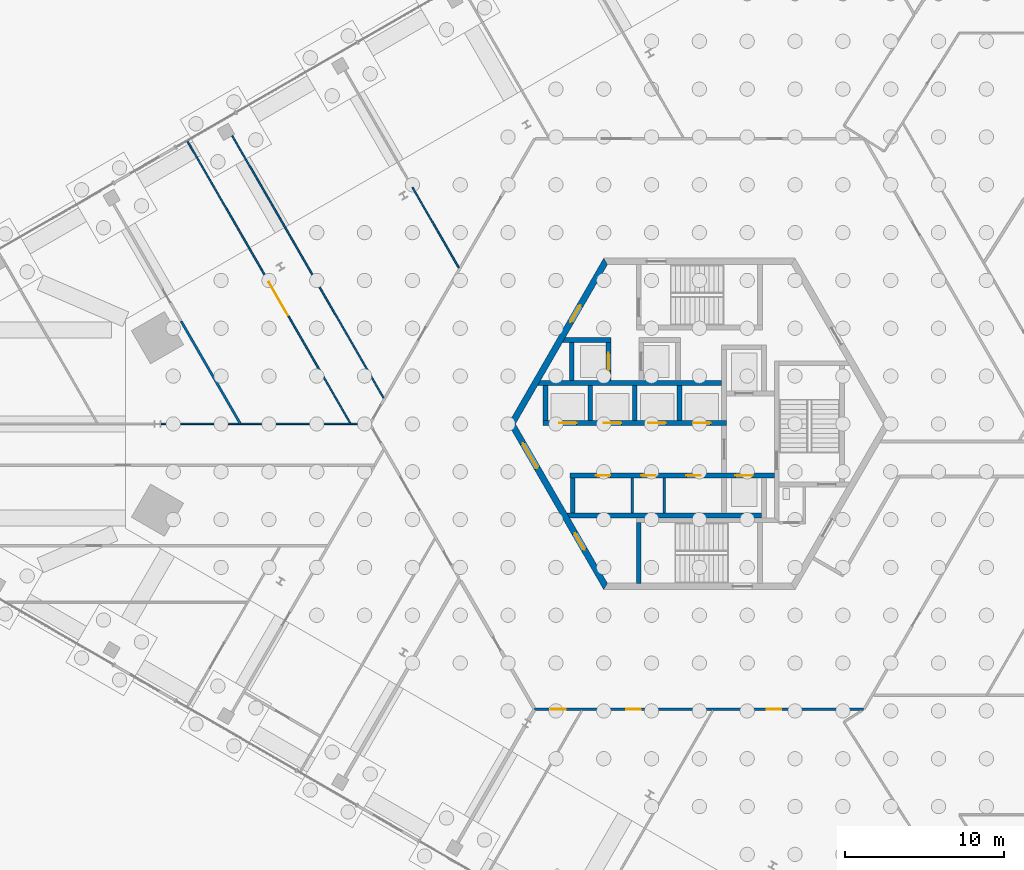
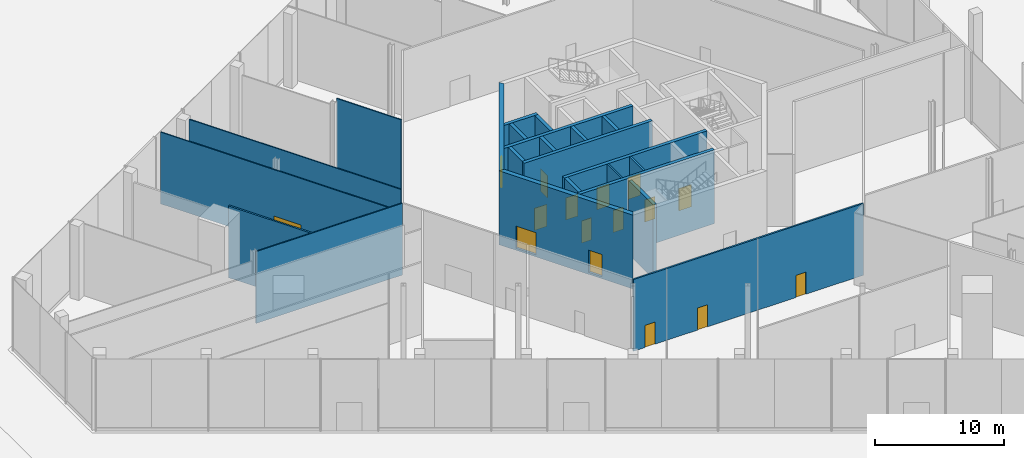
# One storey, part 17 of 27: 23 walls, 16 doors, 16 openings.
"""IFC4 building model written with IfcOpenShell, lengths in metres."""

from ifc_helpers import new_model, si_unit, direction, frame, frame_2d, origin, place, context, subcontext, project, spatial, polyline, rectangle, outline, extrude, source, transform, mapped, material, layer, layer_set, type_object, element, fill, save


model = new_model("IFC4")

# Units and contexts
model_context = context("Model", 3, precision=1e-05, world=origin(), true_north=direction((0.0, 1.0)))
body_context = subcontext(model_context, "Body", "Model", "MODEL_VIEW")
ifc_project = project(units=[si_unit("LENGTHUNIT", "METRE"), si_unit("AREAUNIT", "SQUARE_METRE"), si_unit("VOLUMEUNIT", "CUBIC_METRE"), si_unit("PLANEANGLEUNIT", "RADIAN"), si_unit("MASSUNIT", "GRAM", prefix="KILO")], contexts=[model_context])

# Site, building, storey
site_placement = place(None, origin())
site = spatial("IfcSite", under=ifc_project, at=site_placement, CompositionType="ELEMENT")
building_placement = place(site_placement, origin())
building = spatial("IfcBuilding", under=site, at=building_placement, Name="Triune Harvest Tower", CompositionType="ELEMENT")
storey_placement = place(building_placement, origin())
storey = spatial("IfcBuildingStorey", under=building, at=storey_placement, Name="L00", CompositionType="ELEMENT", Elevation=0.0)

# Wall, openings, doors
ifc_material_1 = material(Name="Concrete 70 MPa", Category="concrete")
ifc_layer_1 = layer(ifc_material_1, 0.300048828125)
ifc_layer_set_1 = layer_set([ifc_layer_1], Name="Concrete 70 MPa")
wall_type_1 = type_object("IfcWallType", Name="Core wall 300", PredefinedType="SHEAR", material=ifc_layer_set_1)
wall_1_placement = place(storey_placement, frame((-9.800048828125, 0.06005859375, -0.199951171875), z_axis=(0.0, 0.0, 1.0), x_axis=(1.0, 0.0, 0.0)))
wall_1 = element("IfcWall", 1, at=wall_1_placement, inside=storey, type_object=wall_type_1, Name="North front wall", PredefinedType="SHEAR", context=body_context, shape_type="SweptSolid", body=[
    extrude(rectangle(XDim=11.5, YDim=0.300048828125, at=frame_2d((5.75, 0.0))), origin(), (0.0, 0.0, 1.0), 7.0),
])
opening_1_placement = place(wall_1_placement, frame((1.0, 0.0, 0.199951171875)))
opening_1 = element("IfcOpeningElement", 2, at=opening_1_placement, cuts=wall_1, Name="Opening LD-LR1-00", PredefinedType="OPENING", context=body_context, shape_type="SweptSolid", body=[
    extrude(rectangle(XDim=1.10009765625, YDim=2.10009765625, at=frame_2d((0.550048828125, 1.050048828125))), frame((0.0, 0.16015625, 0.0), z_axis=(0.0, -1.0, 0.0), x_axis=(1.0, 0.0, 0.0)), (0.0, 0.0, 1.0), 0.320068359375),
])
opening_2_placement = place(wall_1_placement, frame((3.800048828125, 0.0, 0.199951171875)))
opening_2 = element("IfcOpeningElement", 3, at=opening_2_placement, cuts=wall_1, Name="Opening LD-LR2-00", PredefinedType="OPENING", context=body_context, shape_type="SweptSolid", body=[
    extrude(rectangle(XDim=1.10009765625, YDim=2.10009765625, at=frame_2d((0.550048828125, 1.050048828125))), frame((0.0, 0.16015625, 0.0), z_axis=(0.0, -1.0, 0.0), x_axis=(1.0, 0.0, 0.0)), (0.0, 0.0, 1.0), 0.320068359375),
])
opening_3_placement = place(wall_1_placement, frame((6.60009765625, 0.0, 0.199951171875)))
opening_3 = element("IfcOpeningElement", 4, at=opening_3_placement, cuts=wall_1, Name="Opening LD-LR3-00", PredefinedType="OPENING", context=body_context, shape_type="SweptSolid", body=[
    extrude(rectangle(XDim=1.10009765625, YDim=2.10009765625, at=frame_2d((0.550048828125, 1.050048828125))), frame((0.0, 0.16015625, 0.0), z_axis=(0.0, -1.0, 0.0), x_axis=(1.0, 0.0, 0.0)), (0.0, 0.0, 1.0), 0.320068359375),
])
opening_4_placement = place(wall_1_placement, frame((9.39990234375, 0.0, 0.199951171875)))
opening_4 = element("IfcOpeningElement", 5, at=opening_4_placement, cuts=wall_1, Name="Opening LD-LR4-00", PredefinedType="OPENING", context=body_context, shape_type="SweptSolid", body=[
    extrude(rectangle(XDim=1.10009765625, YDim=2.10009765625, at=frame_2d((0.550048828125, 1.050048828125))), frame((0.0, 0.16015625, 0.0), z_axis=(0.0, -1.0, 0.0), x_axis=(1.0, 0.0, 0.0)), (0.0, 0.0, 1.0), 0.320068359375),
])
ifc_material_2 = material(Name="Stainless steel AISI 304", Category="steel")
door_type_1 = type_object("IfcDoorType", Name="Landing door 1100 x 2100", OperationType="DOUBLE_DOOR_SLIDING", PredefinedType="DOOR", material=ifc_material_2)
door_1_placement = place(opening_1_placement, origin())
door_1 = element("IfcDoor", 6, at=door_1_placement, inside=storey, type_object=door_type_1, Name="Door LD-LR1-00", OperationType="DOUBLE_DOOR_SLIDING", OverallHeight=2.10009765625, OverallWidth=1.10009765625, PredefinedType="DOOR", context=body_context, shape_type="SweptSolid", body=[
    extrude(rectangle(XDim=1.10009765625, YDim=2.10009765625, at=frame_2d((0.550048828125, 1.050048828125))), frame((0.0, 0.02490234375, 0.0), z_axis=(0.0, -1.0, 0.0), x_axis=(1.0, 0.0, 0.0)), (0.0, 0.0, 1.0), 0.050048828125),
])
fill(opening_1, door_1)
door_2_placement = place(opening_2_placement, origin())
door_2 = element("IfcDoor", 7, at=door_2_placement, inside=storey, type_object=door_type_1, Name="Door LD-LR2-00", OperationType="DOUBLE_DOOR_SLIDING", OverallHeight=2.10009765625, OverallWidth=1.10009765625, PredefinedType="DOOR", context=body_context, shape_type="SweptSolid", body=[
    extrude(rectangle(XDim=1.10009765625, YDim=2.10009765625, at=frame_2d((0.550048828125, 1.050048828125))), frame((0.0, 0.02490234375, 0.0), z_axis=(0.0, -1.0, 0.0), x_axis=(1.0, 0.0, 0.0)), (0.0, 0.0, 1.0), 0.050048828125),
])
fill(opening_2, door_2)
door_3_placement = place(opening_3_placement, origin())
door_3 = element("IfcDoor", 8, at=door_3_placement, inside=storey, type_object=door_type_1, Name="Door LD-LR3-00", OperationType="DOUBLE_DOOR_SLIDING", OverallHeight=2.10009765625, OverallWidth=1.10009765625, PredefinedType="DOOR", context=body_context, shape_type="SweptSolid", body=[
    extrude(rectangle(XDim=1.10009765625, YDim=2.10009765625, at=frame_2d((0.550048828125, 1.050048828125))), frame((0.0, 0.02490234375, 0.0), z_axis=(0.0, -1.0, 0.0), x_axis=(1.0, 0.0, 0.0)), (0.0, 0.0, 1.0), 0.050048828125),
])
fill(opening_3, door_3)
door_4_placement = place(opening_4_placement, origin())
door_4 = element("IfcDoor", 9, at=door_4_placement, inside=storey, type_object=door_type_1, Name="Door LD-LR4-00", OperationType="DOUBLE_DOOR_SLIDING", OverallHeight=2.10009765625, OverallWidth=1.10009765625, PredefinedType="DOOR", context=body_context, shape_type="SweptSolid", body=[
    extrude(rectangle(XDim=1.10009765625, YDim=2.10009765625, at=frame_2d((0.550048828125, 1.050048828125))), frame((0.0, 0.02490234375, 0.0), z_axis=(0.0, -1.0, 0.0), x_axis=(1.0, 0.0, 0.0)), (0.0, 0.0, 1.0), 0.050048828125),
])
fill(opening_4, door_4)

# Wall
wall_2_placement = place(storey_placement, frame((-9.800048828125, 2.56005859375, -0.199951171875), z_axis=(0.0, 0.0, 1.0), x_axis=(1.0, 0.0, 0.0)))
element("IfcWall", 10, at=wall_2_placement, inside=storey, type_object=wall_type_1, Name="North back wall", PredefinedType="SHEAR", context=body_context, shape_type="SweptSolid", body=[
    extrude(outline(polyline([(11.199951171875, -0.14990234375), (-0.34912109375, -0.14990234375), (-0.17578125, 0.14990234375), (11.199951171875, 0.14990234375), (11.199951171875, -0.14990234375)])), origin(), (0.0, 0.0, 1.0), 7.0),
])

# Wall, openings, doors
wall_3_placement = place(storey_placement, frame((-8.10009765625, -3.239990234375, -0.199951171875), z_axis=(0.0, 0.0, 1.0), x_axis=(1.0, 0.0, 0.0)))
wall_3 = element("IfcWall", 11, at=wall_3_placement, inside=storey, type_object=wall_type_1, Name="South front wall", PredefinedType="SHEAR", context=body_context, shape_type="SweptSolid", body=[
    extrude(rectangle(XDim=12.800048828125, YDim=0.300048828125, at=frame_2d((6.39990234375, 0.0))), origin(), (0.0, 0.0, 1.0), 7.0),
])
opening_5_placement = place(wall_3_placement, frame((1.612548828125, 0.0, 0.199951171875)))
opening_5 = element("IfcOpeningElement", 12, at=opening_5_placement, cuts=wall_3, Name="Opening CD-RS1", PredefinedType="OPENING", context=body_context, shape_type="SweptSolid", body=[
    extrude(rectangle(XDim=0.89990234375, YDim=2.10009765625, at=frame_2d((0.449951171875, 1.050048828125))), frame((0.0, 0.16015625, 0.0), z_axis=(0.0, -1.0, 0.0), x_axis=(1.0, 0.0, 0.0)), (0.0, 0.0, 1.0), 0.320068359375),
])
opening_6_placement = place(wall_3_placement, frame((4.449951171875, 0.0, 0.199951171875)))
opening_6 = element("IfcOpeningElement", 13, at=opening_6_placement, cuts=wall_3, Name="Opening CD-RS2", PredefinedType="OPENING", context=body_context, shape_type="SweptSolid", body=[
    extrude(rectangle(XDim=0.89990234375, YDim=2.10009765625, at=frame_2d((0.449951171875, 1.050048828125))), frame((0.0, 0.16015625, 0.0), z_axis=(0.0, -1.0, 0.0), x_axis=(1.0, 0.0, 0.0)), (0.0, 0.0, 1.0), 0.320068359375),
])
opening_7_placement = place(wall_3_placement, frame((7.28759765625, 0.0, 0.199951171875)))
opening_7 = element("IfcOpeningElement", 14, at=opening_7_placement, cuts=wall_3, Name="Opening CD-RS3", PredefinedType="OPENING", context=body_context, shape_type="SweptSolid", body=[
    extrude(rectangle(XDim=0.89990234375, YDim=2.10009765625, at=frame_2d((0.449951171875, 1.050048828125))), frame((0.0, 0.16015625, 0.0), z_axis=(0.0, -1.0, 0.0), x_axis=(1.0, 0.0, 0.0)), (0.0, 0.0, 1.0), 0.320068359375),
])
opening_8_placement = place(wall_3_placement, frame((10.35009765625, 0.0, 0.199951171875)))
opening_8 = element("IfcOpeningElement", 15, at=opening_8_placement, cuts=wall_3, Name="Opening LD-FF2-00", PredefinedType="OPENING", context=body_context, shape_type="SweptSolid", body=[
    extrude(rectangle(XDim=1.10009765625, YDim=2.10009765625, at=frame_2d((0.550048828125, 1.050048828125))), frame((0.0, 0.16015625, 0.0), z_axis=(0.0, -1.0, 0.0), x_axis=(1.0, 0.0, 0.0)), (0.0, 0.0, 1.0), 0.320068359375),
])
door_5_placement = place(opening_8_placement, origin())
door_5 = element("IfcDoor", 16, at=door_5_placement, inside=storey, type_object=door_type_1, Name="Door LD-FF2-00", OperationType="DOUBLE_DOOR_SLIDING", OverallHeight=2.10009765625, OverallWidth=1.10009765625, PredefinedType="DOOR", context=body_context, shape_type="SweptSolid", body=[
    extrude(rectangle(XDim=1.10009765625, YDim=2.10009765625, at=frame_2d((0.550048828125, 1.050048828125))), frame((0.0, 0.02490234375, 0.0), z_axis=(0.0, -1.0, 0.0), x_axis=(1.0, 0.0, 0.0)), (0.0, 0.0, 1.0), 0.050048828125),
])
fill(opening_8, door_5)
ifc_material_3 = material(Name="Steel S235", Category="steel")
door_type_2 = type_object("IfcDoorType", Name="Riser door 900 FD120", OperationType="SINGLE_SWING_LEFT", PredefinedType="DOOR", material=ifc_material_3)
door_6_placement = place(opening_5_placement, origin())
door_6 = element("IfcDoor", 17, at=door_6_placement, inside=storey, type_object=door_type_2, Name="Door CD-RS1", OperationType="SINGLE_SWING_LEFT", OverallHeight=2.10009765625, OverallWidth=0.89990234375, PredefinedType="DOOR", context=body_context, shape_type="SweptSolid", body=[
    extrude(rectangle(XDim=0.89990234375, YDim=2.10009765625, at=frame_2d((0.449951171875, 1.050048828125))), frame((0.0, 0.02490234375, 0.0), z_axis=(0.0, -1.0, 0.0), x_axis=(1.0, 0.0, 0.0)), (0.0, 0.0, 1.0), 0.050048828125),
])
fill(opening_5, door_6)
door_7_placement = place(opening_6_placement, origin())
door_7 = element("IfcDoor", 18, at=door_7_placement, inside=storey, type_object=door_type_2, Name="Door CD-RS2", OperationType="SINGLE_SWING_LEFT", OverallHeight=2.10009765625, OverallWidth=0.89990234375, PredefinedType="DOOR", context=body_context, shape_type="SweptSolid", body=[
    extrude(rectangle(XDim=0.89990234375, YDim=2.10009765625, at=frame_2d((0.449951171875, 1.050048828125))), frame((0.0, 0.02490234375, 0.0), z_axis=(0.0, -1.0, 0.0), x_axis=(1.0, 0.0, 0.0)), (0.0, 0.0, 1.0), 0.050048828125),
])
fill(opening_6, door_7)
door_8_placement = place(opening_7_placement, origin())
door_8 = element("IfcDoor", 19, at=door_8_placement, inside=storey, type_object=door_type_2, Name="Door CD-RS3", OperationType="SINGLE_SWING_LEFT", OverallHeight=2.10009765625, OverallWidth=0.89990234375, PredefinedType="DOOR", context=body_context, shape_type="SweptSolid", body=[
    extrude(rectangle(XDim=0.89990234375, YDim=2.10009765625, at=frame_2d((0.449951171875, 1.050048828125))), frame((0.0, 0.02490234375, 0.0), z_axis=(0.0, -1.0, 0.0), x_axis=(1.0, 0.0, 0.0)), (0.0, 0.0, 1.0), 0.050048828125),
])
fill(opening_7, door_8)

# Walls
wall_4_placement = place(storey_placement, frame((-8.10009765625, -5.739990234375, -0.199951171875), z_axis=(0.0, 0.0, 1.0), x_axis=(1.0, 0.0, 0.0)))
element("IfcWall", 20, at=wall_4_placement, inside=storey, type_object=wall_type_1, Name="South back wall", PredefinedType="SHEAR", context=body_context, shape_type="SweptSolid", body=[
    extrude(outline(polyline([(12.0, -0.14990234375), (-0.039794921875, -0.14990234375), (-0.212890625, 0.14990234375), (12.0, 0.14990234375), (12.0, -0.14990234375)])), origin(), (0.0, 0.0, 1.0), 7.0),
])
wall_5_placement = place(storey_placement, frame((-8.14990234375, 5.260009765625, -0.199951171875), z_axis=(0.0, 0.0, 1.0), x_axis=(1.0, 0.0, 0.0)))
element("IfcWall", 21, at=wall_5_placement, inside=storey, type_object=wall_type_1, Name="Sv1 north wall", PredefinedType="SHEAR", context=body_context, shape_type="SweptSolid", body=[
    extrude(outline(polyline([(2.60009765625, -0.14990234375), (-0.440185546875, -0.14990234375), (-0.26708984375, 0.14990234375), (2.60009765625, 0.14990234375), (2.60009765625, -0.14990234375)])), origin(), (0.0, 0.0, 1.0), 7.0),
])
ifc_material_4 = material(Name="Gypsum board on steel studs", Category="steel")
ifc_layer_2 = layer(ifc_material_4, 0.14990234375)
ifc_layer_set_2 = layer_set([ifc_layer_2], Name="Gypsum board on steel studs")
wall_type_2 = type_object("IfcWallType", Name="Fire Partition 150 mm", PredefinedType="PARTITIONING", material=ifc_layer_set_2)
wall_6_placement = place(storey_placement, frame((-32.507080078125, 6.444091796875, 0.0), z_axis=(0.0, 0.0, 1.0), x_axis=(0.499996054018, -0.866027681987, 0.0)))
element("IfcWall", 22, at=wall_6_placement, inside=storey, type_object=wall_type_2, Name="Partition L00 002a", PredefinedType="PARTITIONING", context=body_context, shape_type="SweptSolid", body=[
    extrude(rectangle(XDim=7.44091796875, YDim=0.14990234375, at=frame_2d((3.720458984375, 0.0))), origin(), (0.0, 0.0, 1.0), 6.800048828125),
])

# Wall, openings, doors
wall_7_placement = place(storey_placement, frame((-10.330078125, -17.892333984375, 0.0), z_axis=(0.0, 0.0, 1.0), x_axis=(1.0, 0.0, 0.0)))
wall_7 = element("IfcWall", 23, at=wall_7_placement, inside=storey, type_object=wall_type_2, Name="Partition L00 028", PredefinedType="PARTITIONING", context=body_context, shape_type="SweptSolid", body=[
    extrude(rectangle(XDim=20.618408203125, YDim=0.14990234375, at=frame_2d((10.30908203125, 0.0))), origin(), (0.0, 0.0, 1.0), 6.800048828125),
])
opening_9_placement = place(wall_7_placement, frame((1.050048828125, 0.0, 0.0)))
opening_9 = element("IfcOpeningElement", 24, at=opening_9_placement, cuts=wall_7, Name="Opening L00-033", PredefinedType="OPENING", context=body_context, shape_type="SweptSolid", body=[
    extrude(rectangle(XDim=0.89990234375, YDim=2.10009765625, at=frame_2d((0.449951171875, 1.050048828125))), frame((0.0, 0.0849609375, 0.0), z_axis=(0.0, -1.0, 0.0), x_axis=(1.0, 0.0, 0.0)), (0.0, 0.0, 1.0), 0.169921875),
])
opening_10_placement = place(wall_7_placement, frame((5.752197265625, 0.0, 0.0)))
opening_10 = element("IfcOpeningElement", 25, at=opening_10_placement, cuts=wall_7, Name="Opening L00-034", PredefinedType="OPENING", context=body_context, shape_type="SweptSolid", body=[
    extrude(rectangle(XDim=0.89990234375, YDim=2.10009765625, at=frame_2d((0.449951171875, 1.050048828125))), frame((0.0, 0.0849609375, 0.0), z_axis=(0.0, -1.0, 0.0), x_axis=(1.0, 0.0, 0.0)), (0.0, 0.0, 1.0), 0.169921875),
])
opening_11_placement = place(wall_7_placement, frame((14.564208984375, 0.0, 0.0)))
opening_11 = element("IfcOpeningElement", 26, at=opening_11_placement, cuts=wall_7, Name="Opening L00-036", PredefinedType="OPENING", context=body_context, shape_type="SweptSolid", body=[
    extrude(rectangle(XDim=0.89990234375, YDim=2.10009765625, at=frame_2d((0.449951171875, 1.050048828125))), frame((0.0, 0.0849609375, 0.0), z_axis=(0.0, -1.0, 0.0), x_axis=(1.0, 0.0, 0.0)), (0.0, 0.0, 1.0), 0.169921875),
])
ifc_material_5 = material(Name="Timber and steel door set", Category="steel")
door_type_3 = type_object("IfcDoorType", Name="Single leaf door FD30 left hand 900 x 2100", OperationType="SINGLE_SWING_LEFT", PredefinedType="DOOR", material=ifc_material_5)
door_9_placement = place(opening_11_placement, origin())
door_9 = element("IfcDoor", 27, at=door_9_placement, inside=storey, type_object=door_type_3, Name="Door L00-036 Dry Store Room 00.37", OperationType="SINGLE_SWING_LEFT", OverallHeight=2.10009765625, OverallWidth=0.89990234375, PredefinedType="DOOR", context=body_context, shape_type="SweptSolid", body=[
    extrude(rectangle(XDim=0.89990234375, YDim=2.10009765625, at=frame_2d((0.449951171875, 1.050048828125))), frame((0.0, 0.02490234375, 0.0), z_axis=(0.0, -1.0, 0.0), x_axis=(1.0, 0.0, 0.0)), (0.0, 0.0, 1.0), 0.050048828125),
])
fill(opening_11, door_9)
ifc_material_6 = material(Name="Timber and steel door set", Category="steel")
door_type_4 = type_object("IfcDoorType", Name="Single leaf door FD30 right hand 900 x 2100", OperationType="SINGLE_SWING_RIGHT", PredefinedType="DOOR", material=ifc_material_6)
door_10_placement = place(opening_9_placement, origin())
door_10 = element("IfcDoor", 28, at=door_10_placement, inside=storey, type_object=door_type_4, Name="Door L00-033 Dry Store Room 00.34", OperationType="SINGLE_SWING_RIGHT", OverallHeight=2.10009765625, OverallWidth=0.89990234375, PredefinedType="DOOR", context=body_context, shape_type="SweptSolid", body=[
    extrude(rectangle(XDim=0.89990234375, YDim=2.10009765625, at=frame_2d((0.449951171875, 1.050048828125))), frame((0.0, 0.02490234375, 0.0), z_axis=(0.0, -1.0, 0.0), x_axis=(1.0, 0.0, 0.0)), (0.0, 0.0, 1.0), 0.050048828125),
])
fill(opening_9, door_10)
door_11_placement = place(opening_10_placement, origin())
door_11 = element("IfcDoor", 29, at=door_11_placement, inside=storey, type_object=door_type_4, Name="Door L00-034 Dry Store Room 00.35", OperationType="SINGLE_SWING_RIGHT", OverallHeight=2.10009765625, OverallWidth=0.89990234375, PredefinedType="DOOR", context=body_context, shape_type="SweptSolid", body=[
    extrude(rectangle(XDim=0.89990234375, YDim=2.10009765625, at=frame_2d((0.449951171875, 1.050048828125))), frame((0.0, 0.02490234375, 0.0), z_axis=(0.0, -1.0, 0.0), x_axis=(1.0, 0.0, 0.0)), (0.0, 0.0, 1.0), 0.050048828125),
])
fill(opening_10, door_11)

# Wall, opening, door
ifc_material_7 = material(Name="Gypsum board on steel studs", Category="steel")
ifc_layer_3 = layer(ifc_material_7, 0.10009765625)
ifc_layer_set_3 = layer_set([ifc_layer_3], Name="Gypsum board on steel studs")
wall_type_3 = type_object("IfcWallType", Name="Partition 100 mm", PredefinedType="PARTITIONING", material=ifc_layer_set_3)
wall_8_placement = place(storey_placement, frame((-32.09228515625, 17.705078125, 0.0), z_axis=(0.0, 0.0, 1.0), x_axis=(0.500005001938, -0.866022515895, 0.0)))
wall_8 = element("IfcWall", 30, at=wall_8_placement, inside=storey, type_object=wall_type_3, Name="Partition L00 003", PredefinedType="PARTITIONING", context=body_context, shape_type="SweptSolid", body=[
    extrude(rectangle(XDim=20.444091796875, YDim=0.10009765625, at=frame_2d((10.22216796875, 0.0))), origin(), (0.0, 0.0, 1.0), 6.800048828125),
])
opening_12_placement = place(wall_8_placement, frame((10.175048828125, 0.0, 0.0)))
opening_12 = element("IfcOpeningElement", 31, at=opening_12_placement, cuts=wall_8, Name="Opening L00-019", PredefinedType="OPENING", context=body_context, shape_type="SweptSolid", body=[
    extrude(rectangle(XDim=2.39990234375, YDim=2.39990234375, at=frame_2d((1.199951171875, 1.199951171875))), frame((0.0, 0.06005859375, 0.0), z_axis=(0.0, -1.0, 0.0), x_axis=(1.0, 0.0, 0.0)), (0.0, 0.0, 1.0), 0.1201171875),
])
ifc_material_8 = material(Name="Steel roller shutter", Category="steel")
door_type_5 = type_object("IfcDoorType", Name="Roller shutter 2400 x 2400", OperationType="ROLLINGUP", PredefinedType="DOOR", material=ifc_material_8)
door_12_placement = place(opening_12_placement, origin())
door_12 = element("IfcDoor", 32, at=door_12_placement, inside=storey, type_object=door_type_5, Name="Door L00-019 Market Stall 00.20", OperationType="ROLLINGUP", OverallHeight=2.39990234375, OverallWidth=2.39990234375, PredefinedType="DOOR", context=body_context, shape_type="SweptSolid", body=[
    extrude(rectangle(XDim=2.39990234375, YDim=2.39990234375, at=frame_2d((1.199951171875, 1.199951171875))), frame((0.0, 0.02490234375, 0.0), z_axis=(0.0, -1.0, 0.0), x_axis=(1.0, 0.0, 0.0)), (0.0, 0.0, 1.0), 0.050048828125),
])
fill(opening_12, door_12)

# Walls
wall_9_placement = place(storey_placement, frame((-29.3134765625, 18.09228515625, 0.0), z_axis=(0.0, 0.0, 1.0), x_axis=(0.499998542569, -0.866026245231, 0.0)))
element("IfcWall", 33, at=wall_9_placement, inside=storey, type_object=wall_type_3, Name="Partition L00 006", PredefinedType="PARTITIONING", context=body_context, shape_type="SweptSolid", body=[
    extrude(rectangle(XDim=19.0087890625, YDim=0.10009765625, at=frame_2d((9.50439453125, 0.0))), origin(), (0.0, 0.0, 1.0), 6.800048828125),
])
wall_10_placement = place(storey_placement, frame((-17.99267578125, 14.82421875, 0.0), z_axis=(0.0, 0.0, 1.0), x_axis=(0.500009032223, -0.866020188965, 0.0)))
element("IfcWall", 34, at=wall_10_placement, inside=storey, type_object=wall_type_3, Name="Partition L00 007a", PredefinedType="PARTITIONING", context=body_context, shape_type="SweptSolid", body=[
    extrude(rectangle(XDim=5.80126953125, YDim=0.10009765625, at=frame_2d((2.900634765625, 0.0))), origin(), (0.0, 0.0, 1.0), 6.800048828125),
])
wall_11_placement = place(storey_placement, frame((-33.79541015625, 0.0, 0.0), z_axis=(0.0, 0.0, 1.0), x_axis=(1.0, 0.0, 0.0)))
element("IfcWall", 35, at=wall_11_placement, inside=storey, type_object=wall_type_3, Name="Partition L00 034", PredefinedType="PARTITIONING", context=body_context, shape_type="SweptSolid", body=[
    extrude(rectangle(XDim=13.09521484375, YDim=0.10009765625, at=frame_2d((6.547607421875, 0.0))), origin(), (0.0, 0.0, 1.0), 6.800048828125),
])

# Wall, opening, door
ifc_material_9 = material(Name="Concrete 70 MPa", Category="concrete")
ifc_layer_4 = layer(ifc_material_9, 0.39990234375)
ifc_layer_set_4 = layer_set([ifc_layer_4], Name="Concrete 70 MPa")
wall_type_4 = type_object("IfcWallType", Name="Core wall 400", PredefinedType="SHEAR", material=ifc_layer_set_4)
shared_shape_1 = source(origin(), body_context, "Body", "SweptSolid", [
    extrude(outline(polyline([(-0.115478515625, -0.199951171875), (11.884521484375, -0.199951171875), (11.653564453125, 0.199951171875), (0.115478515625, 0.199951171875), (-0.115478515625, -0.199951171875)])), origin(), (0.0, 0.0, 1.0), 7.0),
])
wall_12_placement = place(storey_placement, frame((-5.884521484375, 10.1923828125, -0.199951171875), z_axis=(0.0, 0.0, 1.0), x_axis=(-0.499996592174, -0.866027371285, 0.0)))
wall_12 = element("IfcWall", 36, at=wall_12_placement, inside=storey, type_object=wall_type_4, Name="Hexagon 2 wall", PredefinedType="SHEAR", context=body_context, shape_type="MappedRepresentation", body=[
    mapped(shared_shape_1, transform((0.0, 0.0, 0.0), scale=1.0)),
])
opening_13_placement = place(wall_12_placement, frame((3.1845703125, 0.0, 0.199951171875)))
opening_13 = element("IfcOpeningElement", 37, at=opening_13_placement, cuts=wall_12, Name="Opening CD-SVP", PredefinedType="OPENING", context=body_context, shape_type="SweptSolid", body=[
    extrude(rectangle(XDim=1.199951171875, YDim=2.10009765625, at=frame_2d((0.60009765625, 1.050048828125))), frame((0.0, 0.2099609375, 0.0), z_axis=(0.0, -1.0, 0.0), x_axis=(1.0, 0.0, 0.0)), (0.0, 0.0, 1.0), 0.419921875),
])
ifc_material_10 = material(Name="Steel S235", Category="steel")
door_type_6 = type_object("IfcDoorType", Name="Service door 1200 FD120", OperationType="SINGLE_SWING_LEFT", PredefinedType="DOOR", material=ifc_material_10)
door_13_placement = place(opening_13_placement, frame((1.199951171875, 0.0, 0.0), z_axis=(0.0, 0.0, 1.0), x_axis=(-1.0, 0.0, 0.0)))
door_13 = element("IfcDoor", 38, at=door_13_placement, inside=storey, type_object=door_type_6, Name="Door CD-SVP", OperationType="SINGLE_SWING_RIGHT", OverallHeight=2.10009765625, OverallWidth=1.199951171875, PredefinedType="DOOR", context=body_context, shape_type="SweptSolid", body=[
    extrude(rectangle(XDim=1.199951171875, YDim=2.10009765625, at=frame_2d((0.60009765625, 1.050048828125))), frame((0.0, 0.02490234375, 0.0), z_axis=(0.0, -1.0, 0.0), x_axis=(1.0, 0.0, 0.0)), (0.0, 0.0, 1.0), 0.050048828125),
])
fill(opening_13, door_13)

# Wall, openings, doors
wall_13_placement = place(storey_placement, frame((-11.76904296875, 0.0, -0.199951171875), z_axis=(0.0, 0.0, 1.0), x_axis=(0.499996592174, -0.866027371285, 0.0)))
wall_13 = element("IfcWall", 39, at=wall_13_placement, inside=storey, type_object=wall_type_4, Name="Hexagon 3 wall", PredefinedType="SHEAR", context=body_context, shape_type="MappedRepresentation", body=[
    mapped(shared_shape_1, transform((0.0, 0.0, 0.0), scale=1.0)),
])
opening_14_placement = place(wall_13_placement, frame((1.404541015625, 0.0, 0.199951171875)))
opening_14 = element("IfcOpeningElement", 40, at=opening_14_placement, cuts=wall_13, Name="Opening CD-LS", PredefinedType="OPENING", context=body_context, shape_type="SweptSolid", body=[
    extrude(rectangle(XDim=1.800048828125, YDim=2.10009765625, at=frame_2d((0.89990234375, 1.050048828125))), frame((0.0, 0.2099609375, 0.0), z_axis=(0.0, -1.0, 0.0), x_axis=(1.0, 0.0, 0.0)), (0.0, 0.0, 1.0), 0.419921875),
])
opening_15_placement = place(wall_13_placement, frame((7.91455078125, 0.0, 0.199951171875)))
opening_15 = element("IfcOpeningElement", 41, at=opening_15_placement, cuts=wall_13, Name="Opening CD-SWP", PredefinedType="OPENING", context=body_context, shape_type="SweptSolid", body=[
    extrude(rectangle(XDim=1.199951171875, YDim=2.10009765625, at=frame_2d((0.60009765625, 1.050048828125))), frame((0.0, 0.2099609375, 0.0), z_axis=(0.0, -1.0, 0.0), x_axis=(1.0, 0.0, 0.0)), (0.0, 0.0, 1.0), 0.419921875),
])
ifc_material_11 = material(Name="Steel S235", Category="steel")
door_type_7 = type_object("IfcDoorType", Name="Lobby door 1800 FD120", OperationType="DOUBLE_DOOR_DOUBLE_SWING", PredefinedType="DOOR", material=ifc_material_11)
door_14_placement = place(opening_14_placement, frame((1.800048828125, 0.0, 0.0), z_axis=(0.0, 0.0, 1.0), x_axis=(-1.0, 0.0, 0.0)))
door_14 = element("IfcDoor", 42, at=door_14_placement, inside=storey, type_object=door_type_7, Name="Door CD-LS", OperationType="DOUBLE_DOOR_DOUBLE_SWING", OverallHeight=2.10009765625, OverallWidth=1.800048828125, PredefinedType="DOOR", context=body_context, shape_type="SweptSolid", body=[
    extrude(rectangle(XDim=1.800048828125, YDim=2.10009765625, at=frame_2d((0.89990234375, 1.050048828125))), frame((0.0, 0.02490234375, 0.0), z_axis=(0.0, -1.0, 0.0), x_axis=(1.0, 0.0, 0.0)), (0.0, 0.0, 1.0), 0.050048828125),
])
fill(opening_14, door_14)
door_15_placement = place(opening_15_placement, frame((1.199951171875, 0.0, 0.0), z_axis=(0.0, 0.0, 1.0), x_axis=(-1.0, 0.0, 0.0)))
door_15 = element("IfcDoor", 43, at=door_15_placement, inside=storey, type_object=door_type_6, Name="Door CD-SWP", OperationType="SINGLE_SWING_RIGHT", OverallHeight=2.10009765625, OverallWidth=1.199951171875, PredefinedType="DOOR", context=body_context, shape_type="SweptSolid", body=[
    extrude(rectangle(XDim=1.199951171875, YDim=2.10009765625, at=frame_2d((0.60009765625, 1.050048828125))), frame((0.0, 0.02490234375, 0.0), z_axis=(0.0, -1.0, 0.0), x_axis=(1.0, 0.0, 0.0)), (0.0, 0.0, 1.0), 0.050048828125),
])
fill(opening_15, door_15)

# Walls
shared_shape_2 = source(origin(), body_context, "Body", "SweptSolid", [
    extrude(rectangle(XDim=2.2001953125, YDim=0.300048828125, at=frame_2d((1.10009765625, 0.0))), origin(), (0.0, 0.0, 1.0), 7.0),
])
wall_14_placement = place(storey_placement, frame((-7.949951171875, -5.590087890625, -0.199951171875), z_axis=(0.0, 0.0, 1.0), x_axis=(0.0, 1.0, 0.0)))
element("IfcWall", 44, at=wall_14_placement, inside=storey, type_object=wall_type_1, Name="South end west wall", PredefinedType="SHEAR", context=body_context, shape_type="MappedRepresentation", body=[
    mapped(shared_shape_2, transform((0.0, 0.0, 0.0), scale=1.0)),
])
shared_shape_3 = source(origin(), body_context, "Body", "SweptSolid", [
    extrude(rectangle(XDim=2.199951171875, YDim=0.300048828125, at=frame_2d((1.10009765625, 0.0))), origin(), (0.0, 0.0, 1.0), 7.0),
])
for number, where, z_axis, x_axis, name in (
    (45, (-9.64990234375, 0.2099609375, -0.199951171875), (0.0, 0.0, 1.0), (0.0, 1.0, 0.0), "North end west wall"),
    (46, (-6.85009765625, 0.2099609375, -0.199951171875), (0.0, 0.0, 1.0), (0.0, 1.0, 0.0), "North cross 1 wall"),
    (47, (-4.050048828125, 0.2099609375, -0.199951171875), (0.0, 0.0, 1.0), (0.0, 1.0, 0.0), "North cross 2 wall"),
    (48, (-1.25, 0.2099609375, -0.199951171875), (0.0, 0.0, 1.0), (0.0, 1.0, 0.0), "North cross 3 wall"),
):
    element("IfcWall", number, at=place(storey_placement, frame(where, z_axis=z_axis, x_axis=x_axis)), inside=storey, type_object=wall_type_1, Name=name, PredefinedType="SHEAR", context=body_context, shape_type="MappedRepresentation", body=[
        mapped(shared_shape_3, transform((0.0, 0.0, 0.0), scale=1.0)),
    ])
shared_shape_4 = source(origin(), body_context, "Body", "SweptSolid", [
    extrude(outline(polyline([(3.800048828125, -0.14990234375), (-0.00439453125, -0.14990234375), (-0.00439453125, 0.14990234375), (3.800048828125, 0.14990234375), (3.800048828125, -0.14990234375)])), origin(), (0.0, 0.0, 1.0), 7.0),
])
wall_15_placement = place(storey_placement, frame((-3.800048828125, -9.989990234375, -0.199951171875), z_axis=(0.0, 0.0, 1.0), x_axis=(0.0, 1.0, 0.0)))
element("IfcWall", 49, at=wall_15_placement, inside=storey, type_object=wall_type_1, Name="Stair s west wall", PredefinedType="SHEAR", context=body_context, shape_type="MappedRepresentation", body=[
    mapped(shared_shape_4, transform((0.0, 0.0, 0.0), scale=1.0)),
])
shared_shape_5 = source(origin(), body_context, "Body", "SweptSolid", [
    extrude(rectangle(XDim=2.400146484375, YDim=0.300048828125, at=frame_2d((1.2001953125, 0.0))), origin(), (0.0, 0.0, 1.0), 7.0),
])
wall_16_placement = place(storey_placement, frame((-8.0, 2.7099609375, -0.199951171875), z_axis=(0.0, 0.0, 1.0), x_axis=(0.0, 1.0, 0.0)))
element("IfcWall", 50, at=wall_16_placement, inside=storey, type_object=wall_type_1, Name="Sv1 west wall", PredefinedType="SHEAR", context=body_context, shape_type="MappedRepresentation", body=[
    mapped(shared_shape_5, transform((0.0, 0.0, 0.0), scale=1.0)),
])

# Wall, opening, door
wall_17_placement = place(storey_placement, frame((-5.699951171875, 2.7099609375, -0.199951171875), z_axis=(0.0, 0.0, 1.0), x_axis=(0.0, 1.0, 0.0)))
wall_17 = element("IfcWall", 51, at=wall_17_placement, inside=storey, type_object=wall_type_1, Name="Sv1 east wall", PredefinedType="SHEAR", context=body_context, shape_type="MappedRepresentation", body=[
    mapped(shared_shape_5, transform((0.0, 0.0, 0.0), scale=1.0)),
])
opening_16_placement = place(wall_17_placement, frame((0.64990234375, 0.0, 0.199951171875)))
opening_16 = element("IfcOpeningElement", 52, at=opening_16_placement, cuts=wall_17, Name="Opening LD-SV1-00", PredefinedType="OPENING", context=body_context, shape_type="SweptSolid", body=[
    extrude(rectangle(XDim=1.10009765625, YDim=2.10009765625, at=frame_2d((0.550048828125, 1.050048828125))), frame((0.0, 0.16015625, 0.0), z_axis=(0.0, -1.0, 0.0), x_axis=(1.0, 0.0, 0.0)), (0.0, 0.0, 1.0), 0.320068359375),
])
door_16_placement = place(opening_16_placement, origin())
door_16 = element("IfcDoor", 53, at=door_16_placement, inside=storey, type_object=door_type_1, Name="Door LD-SV1-00", OperationType="DOUBLE_DOOR_SLIDING", OverallHeight=2.10009765625, OverallWidth=1.10009765625, PredefinedType="DOOR", context=body_context, shape_type="SweptSolid", body=[
    extrude(rectangle(XDim=1.10009765625, YDim=2.10009765625, at=frame_2d((0.550048828125, 1.050048828125))), frame((0.0, 0.02490234375, 0.0), z_axis=(0.0, -1.0, 0.0), x_axis=(1.0, 0.0, 0.0)), (0.0, 0.0, 1.0), 0.050048828125),
])
fill(opening_16, door_16)

# Walls
ifc_material_12 = material(Name="Concrete masonry unit", Category="masonry")
ifc_layer_5 = layer(ifc_material_12, 0.14990234375)
ifc_layer_set_5 = layer_set([ifc_layer_5], Name="Concrete masonry unit")
wall_type_5 = type_object("IfcWallType", Name="Block partition 150", PredefinedType="PARTITIONING", material=ifc_layer_set_5)
shared_shape_6 = source(origin(), body_context, "Body", "SweptSolid", [
    extrude(rectangle(XDim=2.2001953125, YDim=0.14990234375, at=frame_2d((1.10009765625, 0.0))), origin(), (0.0, 0.0, 1.0), 6.800048828125),
])
for number, where, z_axis, x_axis, name in (
    (54, (-4.199951171875, -5.590087890625, 0.0), (0.0, 0.0, 1.0), (0.0, 1.0, 0.0), "Row s part 1 wall"),
    (55, (-2.199951171875, -5.590087890625, 0.0), (0.0, 0.0, 1.0), (0.0, 1.0, 0.0), "Row s part 2 wall"),
):
    element("IfcWall", number, at=place(storey_placement, frame(where, z_axis=z_axis, x_axis=x_axis)), inside=storey, type_object=wall_type_5, Name=name, PredefinedType="PARTITIONING", context=body_context, shape_type="MappedRepresentation", body=[
        mapped(shared_shape_6, transform((0.0, 0.0, 0.0), scale=1.0)),
    ])

save(model, "model.ifc")
